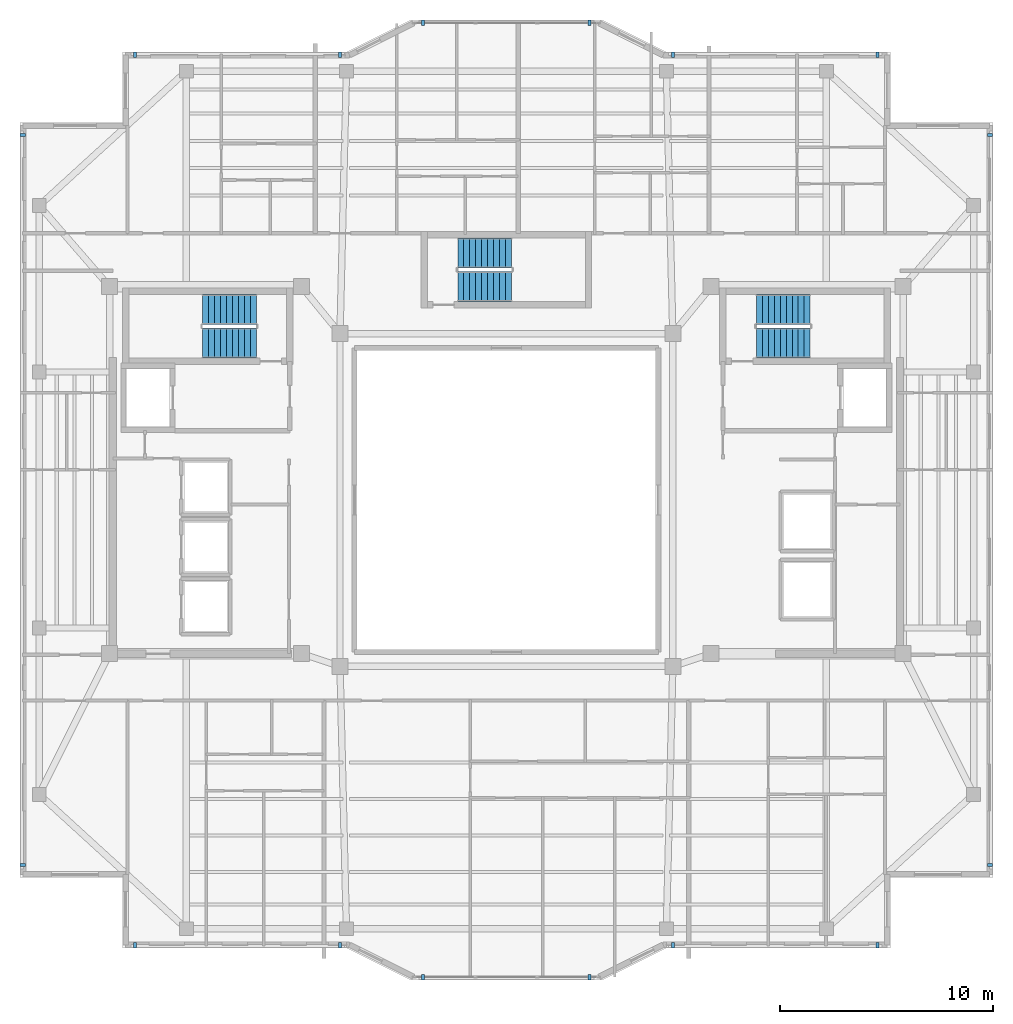
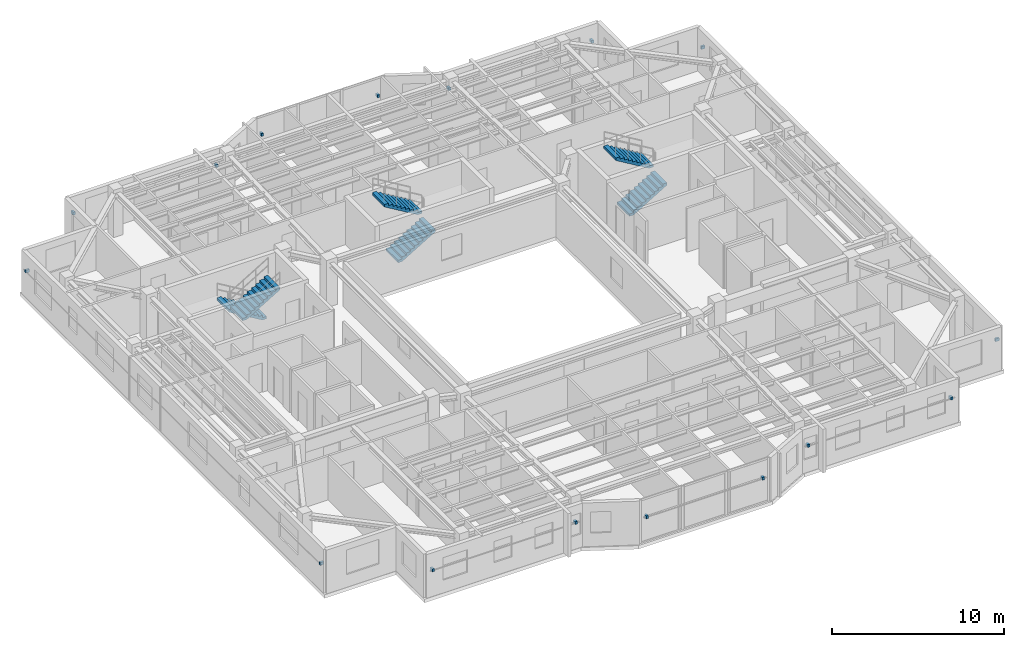
# One storey, part 12 of 15: 16 discrete accessories, 6 stair flights, 3 elements without a shape of their own.
"""IFC4 building model written with IfcOpenShell, lengths in metres."""

from ifc_helpers import new_model, si_unit, direction, frame, origin, origin_2d, place, context, subcontext, project, spatial, polyline, rectangle, outline, extrude, material, type_object, element, aggregate, save


model = new_model("IFC4")

# Units and contexts
model_context = context("Model", 3, precision=1e-05, world=origin(), true_north=direction((0.0, 1.0)))
body_context = subcontext(model_context, "Body", "Model", "MODEL_VIEW")
ifc_project = project(units=[si_unit("LENGTHUNIT", "METRE"), si_unit("AREAUNIT", "SQUARE_METRE"), si_unit("VOLUMEUNIT", "CUBIC_METRE"), si_unit("PLANEANGLEUNIT", "RADIAN"), si_unit("MASSUNIT", "GRAM", prefix="KILO")], contexts=[model_context])

# Site, building, storey
site_placement = place(None, origin())
site = spatial("IfcSite", under=ifc_project, at=site_placement, CompositionType="ELEMENT")
building_placement = place(site_placement, origin())
building = spatial("IfcBuilding", under=site, at=building_placement, Name="Tarnavaz Court Tower", CompositionType="ELEMENT")
storey_placement = place(building_placement, frame((0.0, 0.0, 244.85009765625)))
storey = spatial("IfcBuildingStorey", under=building, at=storey_placement, Name="L66", CompositionType="ELEMENT", Elevation=244.85009765625)

# Stair, stair flights
ifc_material_1 = material(Name="Concrete C40/50", Category="concrete")
stair_type = type_object("IfcStairType", Name="ST-TWR-20R", PredefinedType="HALF_TURN_STAIR", material=ifc_material_1)
stair_1_placement = place(storey_placement, origin())
stair_1 = element("IfcStair", 1, at=stair_1_placement, inside=storey, type_object=stair_type, Name="L66 West Core Pressurized Exit Stair ST-W1", PredefinedType="HALF_TURN_STAIR")
stair_flight_type = type_object("IfcStairFlightType", Name="SFL-RC-20R", PredefinedType="STRAIGHT", material=ifc_material_1)
stair_flight_1_placement = place(storey_placement, frame((-11.719970703125, 8.929931640625, 0.0), z_axis=(0.0, 0.0, 1.0), x_axis=(-1.0, 0.0, 0.0)))
stair_flight_1 = element("IfcStairFlight", 2, at=stair_flight_1_placement, type_object=stair_flight_type, Name="ST-W1 flight 1", NumberOfRisers=10, NumberOfTreads=9, PredefinedType="STRAIGHT", RiserHeight=0.1675, TreadLength=0.28, context=body_context, shape_type="SweptSolid", body=[
    extrude(outline(polyline([(0.0, 0.0), (0.0, 0.16748046875), (0.280029296875, 0.16748046875), (0.280029296875, 0.3349609375), (0.56005859375, 0.3349609375), (0.56005859375, 0.50244140625), (0.840087890625, 0.50244140625), (0.840087890625, 0.669921875), (1.1201171875, 0.669921875), (1.1201171875, 0.83740234375), (1.39990234375, 0.83740234375), (1.39990234375, 1.0048828125), (1.679931640625, 1.0048828125), (1.679931640625, 1.172607421875), (1.9599609375, 1.172607421875), (1.9599609375, 1.340087890625), (2.239990234375, 1.340087890625), (2.239990234375, 1.507568359375), (2.52001953125, 1.507568359375), (2.52001953125, 1.675048828125), (2.52001953125, 1.332763671875), (0.2919921875, 0.0), (0.0, 0.0)])), frame((0.0, 0.7099609375, 0.0), z_axis=(0.0, -1.0, 0.0), x_axis=(1.0, 0.0, 0.0)), (0.0, 0.0, 1.0), 1.419921875),
])
stair_flight_2_placement = place(storey_placement, frame((-14.239990234375, 7.360107421875, 1.6748046875), z_axis=(0.0, 0.0, 1.0), x_axis=(1.0, 0.0, 0.0)))
stair_flight_2 = element("IfcStairFlight", 3, at=stair_flight_2_placement, type_object=stair_flight_type, Name="ST-W1 flight 2", NumberOfRisers=10, NumberOfTreads=9, PredefinedType="STRAIGHT", RiserHeight=0.1675, TreadLength=0.28, context=body_context, shape_type="SweptSolid", body=[
    extrude(outline(polyline([(0.0, 0.0), (0.0, 0.16748046875), (0.280029296875, 0.16748046875), (0.280029296875, 0.3349609375), (0.56005859375, 0.3349609375), (0.56005859375, 0.50244140625), (0.840087890625, 0.50244140625), (0.840087890625, 0.669921875), (1.1201171875, 0.669921875), (1.1201171875, 0.83740234375), (1.39990234375, 0.83740234375), (1.39990234375, 1.0048828125), (1.679931640625, 1.0048828125), (1.679931640625, 1.172607421875), (1.9599609375, 1.172607421875), (1.9599609375, 1.340087890625), (2.239990234375, 1.340087890625), (2.239990234375, 1.507568359375), (2.52001953125, 1.507568359375), (2.52001953125, 1.675048828125), (2.52001953125, 1.332763671875), (0.2919921875, 0.0), (0.0, 0.0)])), frame((0.0, 0.7099609375, 0.0), z_axis=(0.0, -1.0, 0.0), x_axis=(1.0, 0.0, 0.0)), (0.0, 0.0, 1.0), 1.419921875),
])
aggregate(stair_1, [stair_flight_1, stair_flight_2])

stair_2_placement = place(storey_placement, origin())
stair_2 = element("IfcStair", 4, at=stair_2_placement, inside=storey, type_object=stair_type, Name="L66 East Core Pressurized Exit Stair ST-E1", PredefinedType="HALF_TURN_STAIR")
stair_flight_3_placement = place(storey_placement, frame((11.719970703125, 7.360107421875, 0.0), z_axis=(0.0, 0.0, 1.0), x_axis=(1.0, 0.0, 0.0)))
stair_flight_3 = element("IfcStairFlight", 5, at=stair_flight_3_placement, type_object=stair_flight_type, Name="ST-E1 flight 1", NumberOfRisers=10, NumberOfTreads=9, PredefinedType="STRAIGHT", RiserHeight=0.1675, TreadLength=0.28, context=body_context, shape_type="SweptSolid", body=[
    extrude(outline(polyline([(0.0, 0.0), (0.0, 0.16748046875), (0.280029296875, 0.16748046875), (0.280029296875, 0.3349609375), (0.56005859375, 0.3349609375), (0.56005859375, 0.50244140625), (0.840087890625, 0.50244140625), (0.840087890625, 0.669921875), (1.1201171875, 0.669921875), (1.1201171875, 0.83740234375), (1.39990234375, 0.83740234375), (1.39990234375, 1.0048828125), (1.679931640625, 1.0048828125), (1.679931640625, 1.172607421875), (1.9599609375, 1.172607421875), (1.9599609375, 1.340087890625), (2.239990234375, 1.340087890625), (2.239990234375, 1.507568359375), (2.52001953125, 1.507568359375), (2.52001953125, 1.675048828125), (2.52001953125, 1.332763671875), (0.2919921875, 0.0), (0.0, 0.0)])), frame((0.0, 0.7099609375, 0.0), z_axis=(0.0, -1.0, 0.0), x_axis=(1.0, 0.0, 0.0)), (0.0, 0.0, 1.0), 1.419921875),
])
stair_flight_4_placement = place(storey_placement, frame((14.239990234375, 8.929931640625, 1.6748046875), z_axis=(0.0, 0.0, 1.0), x_axis=(-1.0, 0.0, 0.0)))
stair_flight_4 = element("IfcStairFlight", 6, at=stair_flight_4_placement, type_object=stair_flight_type, Name="ST-E1 flight 2", NumberOfRisers=10, NumberOfTreads=9, PredefinedType="STRAIGHT", RiserHeight=0.1675, TreadLength=0.28, context=body_context, shape_type="SweptSolid", body=[
    extrude(outline(polyline([(0.0, 0.0), (0.0, 0.16748046875), (0.280029296875, 0.16748046875), (0.280029296875, 0.3349609375), (0.56005859375, 0.3349609375), (0.56005859375, 0.50244140625), (0.840087890625, 0.50244140625), (0.840087890625, 0.669921875), (1.1201171875, 0.669921875), (1.1201171875, 0.83740234375), (1.39990234375, 0.83740234375), (1.39990234375, 1.0048828125), (1.679931640625, 1.0048828125), (1.679931640625, 1.172607421875), (1.9599609375, 1.172607421875), (1.9599609375, 1.340087890625), (2.239990234375, 1.340087890625), (2.239990234375, 1.507568359375), (2.52001953125, 1.507568359375), (2.52001953125, 1.675048828125), (2.52001953125, 1.332763671875), (0.2919921875, 0.0), (0.0, 0.0)])), frame((0.0, 0.7099609375, 0.0), z_axis=(0.0, -1.0, 0.0), x_axis=(1.0, 0.0, 0.0)), (0.0, 0.0, 1.0), 1.419921875),
])
aggregate(stair_2, [stair_flight_3, stair_flight_4])

stair_3_placement = place(storey_placement, origin())
stair_3 = element("IfcStair", 7, at=stair_3_placement, inside=storey, type_object=stair_type, Name="L66 North Ring Pressurized Exit Stair ST-N1", PredefinedType="HALF_TURN_STAIR")
stair_flight_5_placement = place(storey_placement, frame((-2.280029296875, 10.010009765625, 0.0), z_axis=(0.0, 0.0, 1.0), x_axis=(1.0, 0.0, 0.0)))
stair_flight_5 = element("IfcStairFlight", 8, at=stair_flight_5_placement, type_object=stair_flight_type, Name="ST-N1 flight 1", NumberOfRisers=10, NumberOfTreads=9, PredefinedType="STRAIGHT", RiserHeight=0.1675, TreadLength=0.28, context=body_context, shape_type="SweptSolid", body=[
    extrude(outline(polyline([(0.0, 0.0), (0.0, 0.16748046875), (0.280029296875, 0.16748046875), (0.280029296875, 0.3349609375), (0.56005859375, 0.3349609375), (0.56005859375, 0.50244140625), (0.840087890625, 0.50244140625), (0.840087890625, 0.669921875), (1.1201171875, 0.669921875), (1.1201171875, 0.83740234375), (1.39990234375, 0.83740234375), (1.39990234375, 1.0048828125), (1.679931640625, 1.0048828125), (1.679931640625, 1.172607421875), (1.9599609375, 1.172607421875), (1.9599609375, 1.340087890625), (2.239990234375, 1.340087890625), (2.239990234375, 1.507568359375), (2.52001953125, 1.507568359375), (2.52001953125, 1.675048828125), (2.52001953125, 1.332763671875), (0.2919921875, 0.0), (0.0, 0.0)])), frame((0.0, 0.7099609375, 0.0), z_axis=(0.0, -1.0, 0.0), x_axis=(1.0, 0.0, 0.0)), (0.0, 0.0, 1.0), 1.419921875),
])
stair_flight_6_placement = place(storey_placement, frame((0.239990234375, 11.580078125, 1.6748046875), z_axis=(0.0, 0.0, 1.0), x_axis=(-1.0, 0.0, 0.0)))
stair_flight_6 = element("IfcStairFlight", 9, at=stair_flight_6_placement, type_object=stair_flight_type, Name="ST-N1 flight 2", NumberOfRisers=10, NumberOfTreads=9, PredefinedType="STRAIGHT", RiserHeight=0.1675, TreadLength=0.28, context=body_context, shape_type="SweptSolid", body=[
    extrude(outline(polyline([(0.0, 0.0), (0.0, 0.16748046875), (0.280029296875, 0.16748046875), (0.280029296875, 0.3349609375), (0.56005859375, 0.3349609375), (0.56005859375, 0.50244140625), (0.840087890625, 0.50244140625), (0.840087890625, 0.669921875), (1.1201171875, 0.669921875), (1.1201171875, 0.83740234375), (1.39990234375, 0.83740234375), (1.39990234375, 1.0048828125), (1.679931640625, 1.0048828125), (1.679931640625, 1.172607421875), (1.9599609375, 1.172607421875), (1.9599609375, 1.340087890625), (2.239990234375, 1.340087890625), (2.239990234375, 1.507568359375), (2.52001953125, 1.507568359375), (2.52001953125, 1.675048828125), (2.52001953125, 1.332763671875), (0.2919921875, 0.0), (0.0, 0.0)])), frame((0.0, 0.7099609375, 0.0), z_axis=(0.0, -1.0, 0.0), x_axis=(1.0, 0.0, 0.0)), (0.0, 0.0, 1.0), 1.419921875),
])
aggregate(stair_3, [stair_flight_5, stair_flight_6])

# Discrete accessories
ifc_material_2 = material(Name="Anodised Aluminium 6063-T6", Category="aluminium")
discrete_accessory_type = type_object("IfcDiscreteAccessoryType", Name="DA-BRKT-ALU", PredefinedType="BRACKET", material=ifc_material_2)
for number, where, z_axis, x_axis, name in (
    (10, (-22.669921875, -17.10009765625, 1.75), (0.0, 0.0, 1.0), (0.0, 1.0, 0.0), "L66 Baguette Outrigger Bracket FBG02-1"),
    (11, (-22.669921875, 17.10009765625, 1.75), (0.0, 0.0, 1.0), (0.0, 1.0, 0.0), "L66 Baguette Outrigger Bracket FBG02-2"),
    (12, (-17.39990234375, 20.8701171875, 1.75), (0.0, 0.0, 1.0), (1.0, 0.0, 0.0), "L66 Baguette Outrigger Bracket FBG05-1"),
    (13, (-7.800048828125, 20.8701171875, 1.75), (0.0, 0.0, 1.0), (1.0, 0.0, 0.0), "L66 Baguette Outrigger Bracket FBG05-2"),
    (14, (-3.89990234375, 22.3701171875, 1.69970703125), (0.0, 0.0, 1.0), (1.0, 0.0, 0.0), "L66 Baguette Outrigger Bracket PBG7-1"),
    (15, (3.89990234375, 22.3701171875, 1.69970703125), (0.0, 0.0, 1.0), (1.0, 0.0, 0.0), "L66 Baguette Outrigger Bracket PBG7-2"),
    (16, (7.800048828125, 20.8701171875, 1.75), (0.0, 0.0, 1.0), (1.0, 0.0, 0.0), "L66 Baguette Outrigger Bracket FBG09-1"),
    (17, (17.39990234375, 20.8701171875, 1.75), (0.0, 0.0, 1.0), (1.0, 0.0, 0.0), "L66 Baguette Outrigger Bracket FBG09-2"),
    (18, (22.669921875, 17.10009765625, 1.75), (0.0, 0.0, 1.0), (0.0, -1.0, 0.0), "L66 Baguette Outrigger Bracket FBG12-1"),
    (19, (22.669921875, -17.10009765625, 1.75), (0.0, 0.0, 1.0), (0.0, -1.0, 0.0), "L66 Baguette Outrigger Bracket FBG12-2"),
    (20, (17.39990234375, -20.8701171875, 1.75), (0.0, 0.0, 1.0), (-1.0, 0.0, 0.0), "L66 Baguette Outrigger Bracket FBG15-1"),
    (21, (7.800048828125, -20.8701171875, 1.75), (0.0, 0.0, 1.0), (-1.0, 0.0, 0.0), "L66 Baguette Outrigger Bracket FBG15-2"),
    (22, (3.89990234375, -22.3701171875, 1.69970703125), (0.0, 0.0, 1.0), (-1.0, 0.0, 0.0), "L66 Baguette Outrigger Bracket PBG17-1"),
    (23, (-3.89990234375, -22.3701171875, 1.69970703125), (0.0, 0.0, 1.0), (-1.0, 0.0, 0.0), "L66 Baguette Outrigger Bracket PBG17-2"),
    (24, (-7.800048828125, -20.8701171875, 1.75), (0.0, 0.0, 1.0), (-1.0, 0.0, 0.0), "L66 Baguette Outrigger Bracket FBG19-1"),
    (25, (-17.39990234375, -20.8701171875, 1.75), (0.0, 0.0, 1.0), (-1.0, 0.0, 0.0), "L66 Baguette Outrigger Bracket FBG19-2"),
):
    element("IfcDiscreteAccessory", number, at=place(storey_placement, frame(where, z_axis=z_axis, x_axis=x_axis)), inside=storey, type_object=discrete_accessory_type, Name=name, PredefinedType="BRACKET", context=body_context, shape_type="SweptSolid", body=[
        extrude(rectangle(XDim=0.139892578125, YDim=0.239990234375, at=origin_2d()), origin(), (0.0, 0.0, 1.0), 0.199951171875),
    ])

save(model, "model.ifc")
